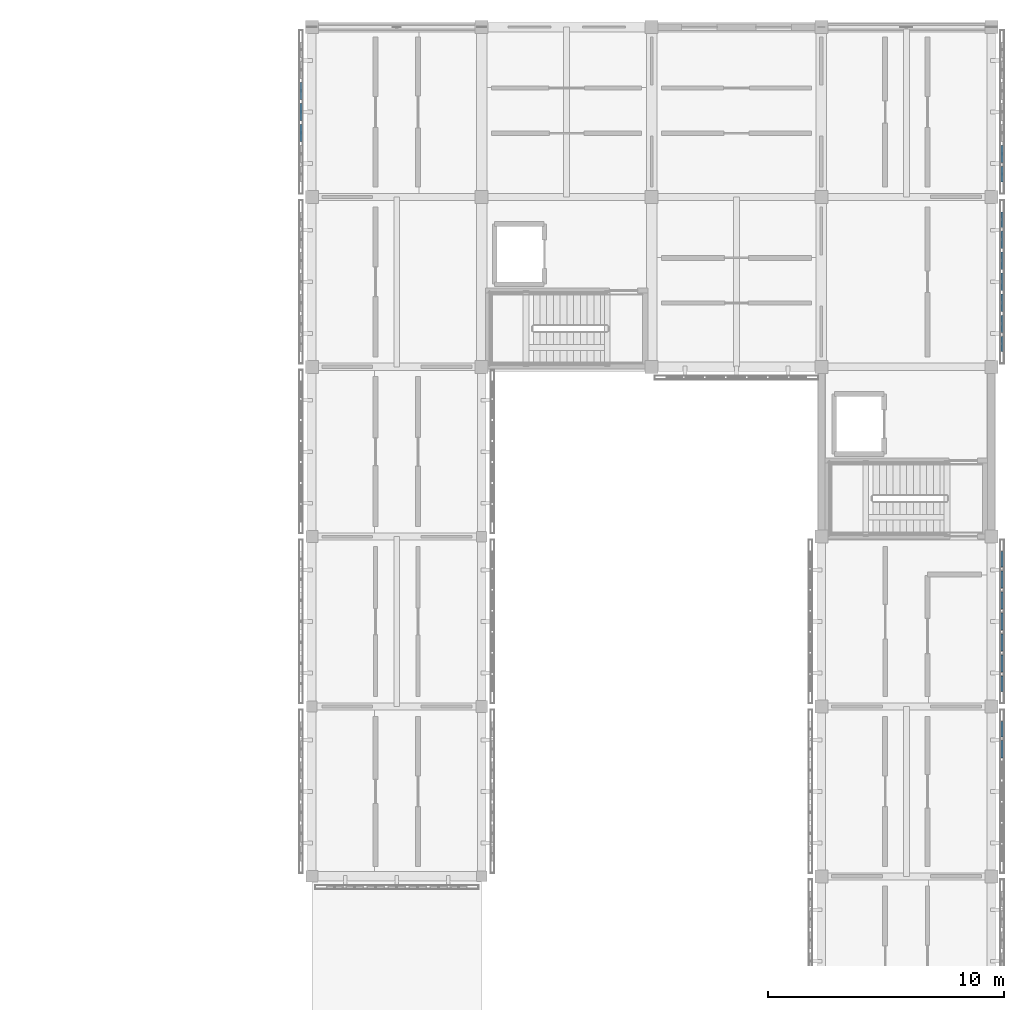
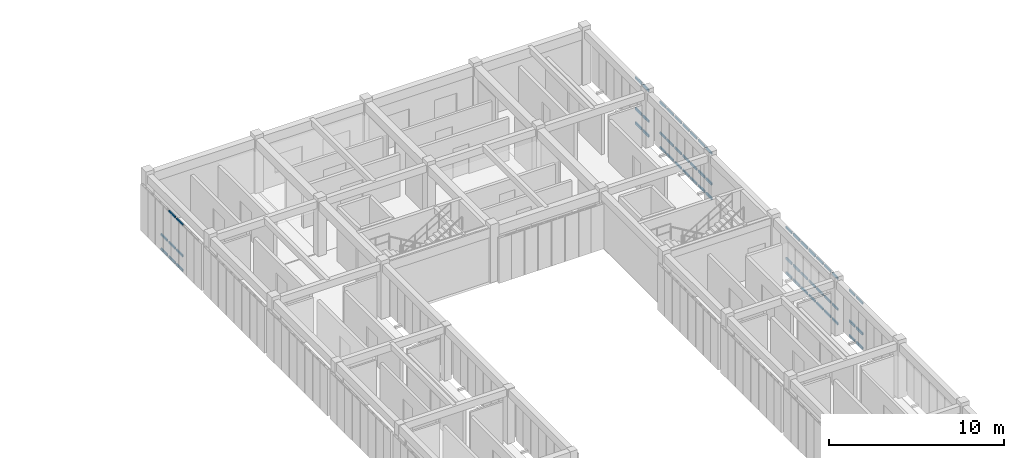
# One storey, part 33 of 67: 62 members, 5 elements without a shape of their own.
"""IFC4 building model written with IfcOpenShell, lengths in metres."""

from ifc_helpers import new_model, si_unit, direction, frame, origin, origin_2d, place, context, subcontext, project, spatial, hollow_rectangle, extrude, material, material_profile, profile_set, type_object, element, aggregate, save


model = new_model("IFC4")

# Units and contexts
model_context = context("Model", 3, precision=1e-05, world=origin(), true_north=direction((0.0, 1.0)))
body_context = subcontext(model_context, "Body", "Model", "MODEL_VIEW")
ifc_project = project(units=[si_unit("LENGTHUNIT", "METRE"), si_unit("AREAUNIT", "SQUARE_METRE"), si_unit("VOLUMEUNIT", "CUBIC_METRE"), si_unit("PLANEANGLEUNIT", "RADIAN"), si_unit("MASSUNIT", "GRAM", prefix="KILO")], contexts=[model_context])

# Site, building, storey
site_placement = place(None, origin())
site = spatial("IfcSite", under=ifc_project, at=site_placement, CompositionType="ELEMENT")
building_placement = place(site_placement, origin())
building = spatial("IfcBuilding", under=site, at=building_placement, Name="Aldebral Square Health Centre", CompositionType="ELEMENT")
storey_placement = place(building_placement, frame((0.0, 0.0, 13.5)))
storey = spatial("IfcBuildingStorey", under=building, at=storey_placement, Name="L03", CompositionType="ELEMENT", Elevation=13.5)

# Curtain wall, members
ifc_material_1 = material(Name="Aluminium and low-E solar glass", Category="aluminium")
curtain_wall_type = type_object("IfcCurtainWallType", Name="CW-FIN-SYS", PredefinedType="USERDEFINED", material=ifc_material_1)
curtain_wall_1_placement = place(storey_placement, origin())
curtain_wall_1 = element("IfcCurtainWall", 1, at=curtain_wall_1_placement, inside=storey, type_object=curtain_wall_type, Name="L03 V5 finned curtain wall L03-V5-19-15-W", ObjectType="SOLAR_CURTAIN_WALL", PredefinedType="USERDEFINED")
ifc_material_2 = material(Name="Anodised aluminium transom", Category="aluminium")
ifc_material_profile = material_profile(ifc_material_2, hollow_rectangle(XDim=0.074951171875, YDim=0.14990234375, WallThickness=0.00390625, at=origin_2d()), Name="CWT 75x150x4")
ifc_profile_set = profile_set([ifc_material_profile], Name="Anodised aluminium transom")
member_type = type_object("IfcMemberType", Name="CWT-STD", PredefinedType="USERDEFINED", material=ifc_profile_set)
member_1_placement = place(storey_placement, frame((136.340087890625, 112.857177734375, 0.03759765625), z_axis=(0.0, -1.0, 0.0), x_axis=(1.0, 0.0, 0.0)))
member_1 = element("IfcMember", 2, at=member_1_placement, type_object=member_type, Name="CW1 transom 3.1", ObjectType="TRANSOM", PredefinedType="USERDEFINED", context=body_context, shape_type="SweptSolid", body=[
    extrude(hollow_rectangle(XDim=0.074951171875, YDim=0.14990234375, WallThickness=0.00390625, at=origin_2d()), origin(), (0.0, 0.0, 1.0), 0.7314453125),
])
member_2_placement = place(storey_placement, frame((136.340087890625, 112.857177734375, 1.050048828125), z_axis=(0.0, -1.0, 0.0), x_axis=(1.0, 0.0, 0.0)))
member_2 = element("IfcMember", 3, at=member_2_placement, type_object=member_type, Name="CW1 transom 3.2", ObjectType="TRANSOM", PredefinedType="USERDEFINED", context=body_context, shape_type="SweptSolid", body=[
    extrude(hollow_rectangle(XDim=0.074951171875, YDim=0.14990234375, WallThickness=0.00390625, at=origin_2d()), origin(), (0.0, 0.0, 1.0), 0.7314453125),
])
member_3_placement = place(storey_placement, frame((136.340087890625, 111.9658203125, 0.03759765625), z_axis=(0.0, -1.0, 0.0), x_axis=(1.0, 0.0, 0.0)))
member_3 = element("IfcMember", 4, at=member_3_placement, type_object=member_type, Name="CW1 transom 4.1", ObjectType="TRANSOM", PredefinedType="USERDEFINED", context=body_context, shape_type="SweptSolid", body=[
    extrude(hollow_rectangle(XDim=0.074951171875, YDim=0.14990234375, WallThickness=0.00390625, at=origin_2d()), origin(), (0.0, 0.0, 1.0), 0.7314453125),
])
member_4_placement = place(storey_placement, frame((136.340087890625, 111.9658203125, 1.050048828125), z_axis=(0.0, -1.0, 0.0), x_axis=(1.0, 0.0, 0.0)))
member_4 = element("IfcMember", 5, at=member_4_placement, type_object=member_type, Name="CW1 transom 4.2", ObjectType="TRANSOM", PredefinedType="USERDEFINED", context=body_context, shape_type="SweptSolid", body=[
    extrude(hollow_rectangle(XDim=0.074951171875, YDim=0.14990234375, WallThickness=0.00390625, at=origin_2d()), origin(), (0.0, 0.0, 1.0), 0.7314453125),
])
member_5_placement = place(storey_placement, frame((136.340087890625, 111.9658203125, 3.202392578125), z_axis=(0.0, -1.0, 0.0), x_axis=(1.0, 0.0, 0.0)))
member_5 = element("IfcMember", 6, at=member_5_placement, type_object=member_type, Name="CW1 transom 4.3", ObjectType="TRANSOM", PredefinedType="USERDEFINED", context=body_context, shape_type="SweptSolid", body=[
    extrude(hollow_rectangle(XDim=0.074951171875, YDim=0.14990234375, WallThickness=0.00390625, at=origin_2d()), origin(), (0.0, 0.0, 1.0), 0.7314453125),
])
member_6_placement = place(storey_placement, frame((136.340087890625, 111.07421875, 0.03759765625), z_axis=(0.0, -1.0, 0.0), x_axis=(1.0, 0.0, 0.0)))
member_6 = element("IfcMember", 7, at=member_6_placement, type_object=member_type, Name="CW1 transom 5.1", ObjectType="TRANSOM", PredefinedType="USERDEFINED", context=body_context, shape_type="SweptSolid", body=[
    extrude(hollow_rectangle(XDim=0.074951171875, YDim=0.14990234375, WallThickness=0.00390625, at=origin_2d()), origin(), (0.0, 0.0, 1.0), 0.7314453125),
])
member_7_placement = place(storey_placement, frame((136.340087890625, 111.07421875, 1.050048828125), z_axis=(0.0, -1.0, 0.0), x_axis=(1.0, 0.0, 0.0)))
member_7 = element("IfcMember", 8, at=member_7_placement, type_object=member_type, Name="CW1 transom 5.2", ObjectType="TRANSOM", PredefinedType="USERDEFINED", context=body_context, shape_type="SweptSolid", body=[
    extrude(hollow_rectangle(XDim=0.074951171875, YDim=0.14990234375, WallThickness=0.00390625, at=origin_2d()), origin(), (0.0, 0.0, 1.0), 0.7314453125),
])
member_8_placement = place(storey_placement, frame((136.340087890625, 111.07421875, 3.202392578125), z_axis=(0.0, -1.0, 0.0), x_axis=(1.0, 0.0, 0.0)))
member_8 = element("IfcMember", 9, at=member_8_placement, type_object=member_type, Name="CW1 transom 5.3", ObjectType="TRANSOM", PredefinedType="USERDEFINED", context=body_context, shape_type="SweptSolid", body=[
    extrude(hollow_rectangle(XDim=0.074951171875, YDim=0.14990234375, WallThickness=0.00390625, at=origin_2d()), origin(), (0.0, 0.0, 1.0), 0.7314453125),
])
aggregate(curtain_wall_1, [member_1, member_2, member_3, member_4, member_5, member_6, member_7, member_8])

curtain_wall_2_placement = place(storey_placement, origin())
curtain_wall_2 = element("IfcCurtainWall", 10, at=curtain_wall_2_placement, inside=storey, type_object=curtain_wall_type, Name="L03 V5 finned curtain wall L03-V5-22-11-E", ObjectType="SOLAR_CURTAIN_WALL", PredefinedType="USERDEFINED")
member_9_placement = place(storey_placement, frame((166.06005859375, 84.217041015625, 0.03759765625), z_axis=(0.0, 1.0, 0.0), x_axis=(-1.0, 0.0, 0.0)))
member_9 = element("IfcMember", 11, at=member_9_placement, type_object=member_type, Name="CW1 transom 6.1", ObjectType="TRANSOM", PredefinedType="USERDEFINED", context=body_context, shape_type="SweptSolid", body=[
    extrude(hollow_rectangle(XDim=0.074951171875, YDim=0.14990234375, WallThickness=0.00390625, at=origin_2d()), origin(), (0.0, 0.0, 1.0), 0.7314453125),
])
member_10_placement = place(storey_placement, frame((166.06005859375, 84.217041015625, 1.050048828125), z_axis=(0.0, 1.0, 0.0), x_axis=(-1.0, 0.0, 0.0)))
member_10 = element("IfcMember", 12, at=member_10_placement, type_object=member_type, Name="CW1 transom 6.2", ObjectType="TRANSOM", PredefinedType="USERDEFINED", context=body_context, shape_type="SweptSolid", body=[
    extrude(hollow_rectangle(XDim=0.074951171875, YDim=0.14990234375, WallThickness=0.00390625, at=origin_2d()), origin(), (0.0, 0.0, 1.0), 0.7314453125),
])
member_11_placement = place(storey_placement, frame((166.06005859375, 84.217041015625, 3.202392578125), z_axis=(0.0, 1.0, 0.0), x_axis=(-1.0, 0.0, 0.0)))
member_11 = element("IfcMember", 13, at=member_11_placement, type_object=member_type, Name="CW1 transom 6.3", ObjectType="TRANSOM", PredefinedType="USERDEFINED", context=body_context, shape_type="SweptSolid", body=[
    extrude(hollow_rectangle(XDim=0.074951171875, YDim=0.14990234375, WallThickness=0.00390625, at=origin_2d()), origin(), (0.0, 0.0, 1.0), 0.7314453125),
])
member_12_placement = place(storey_placement, frame((166.06005859375, 85.108642578125, 0.03759765625), z_axis=(0.0, 1.0, 0.0), x_axis=(-1.0, 0.0, 0.0)))
member_12 = element("IfcMember", 14, at=member_12_placement, type_object=member_type, Name="CW1 transom 7.1", ObjectType="TRANSOM", PredefinedType="USERDEFINED", context=body_context, shape_type="SweptSolid", body=[
    extrude(hollow_rectangle(XDim=0.074951171875, YDim=0.14990234375, WallThickness=0.00390625, at=origin_2d()), origin(), (0.0, 0.0, 1.0), 0.6513671875),
])
member_13_placement = place(storey_placement, frame((166.06005859375, 85.108642578125, 1.050048828125), z_axis=(0.0, 1.0, 0.0), x_axis=(-1.0, 0.0, 0.0)))
member_13 = element("IfcMember", 15, at=member_13_placement, type_object=member_type, Name="CW1 transom 7.2", ObjectType="TRANSOM", PredefinedType="USERDEFINED", context=body_context, shape_type="SweptSolid", body=[
    extrude(hollow_rectangle(XDim=0.074951171875, YDim=0.14990234375, WallThickness=0.00390625, at=origin_2d()), origin(), (0.0, 0.0, 1.0), 0.6513671875),
])
member_14_placement = place(storey_placement, frame((166.06005859375, 85.108642578125, 3.202392578125), z_axis=(0.0, 1.0, 0.0), x_axis=(-1.0, 0.0, 0.0)))
member_14 = element("IfcMember", 16, at=member_14_placement, type_object=member_type, Name="CW1 transom 7.3", ObjectType="TRANSOM", PredefinedType="USERDEFINED", context=body_context, shape_type="SweptSolid", body=[
    extrude(hollow_rectangle(XDim=0.074951171875, YDim=0.14990234375, WallThickness=0.00390625, at=origin_2d()), origin(), (0.0, 0.0, 1.0), 0.6513671875),
])
aggregate(curtain_wall_2, [member_9, member_10, member_11, member_12, member_13, member_14])

curtain_wall_3_placement = place(storey_placement, origin())
curtain_wall_3 = element("IfcCurtainWall", 17, at=curtain_wall_3_placement, inside=storey, type_object=curtain_wall_type, Name="L03 V5 finned curtain wall L03-V5-22-12-E", ObjectType="SOLAR_CURTAIN_WALL", PredefinedType="USERDEFINED")
member_15_placement = place(storey_placement, frame((166.06005859375, 87.0400390625, 0.03759765625), z_axis=(0.0, 1.0, 0.0), x_axis=(-1.0, 0.0, 0.0)))
member_15 = element("IfcMember", 18, at=member_15_placement, type_object=member_type, Name="CW1 transom 1.1", ObjectType="TRANSOM", PredefinedType="USERDEFINED", context=body_context, shape_type="SweptSolid", body=[
    extrude(hollow_rectangle(XDim=0.074951171875, YDim=0.14990234375, WallThickness=0.00390625, at=origin_2d()), origin(), (0.0, 0.0, 1.0), 0.6513671875),
])
member_16_placement = place(storey_placement, frame((166.06005859375, 87.0400390625, 1.050048828125), z_axis=(0.0, 1.0, 0.0), x_axis=(-1.0, 0.0, 0.0)))
member_16 = element("IfcMember", 19, at=member_16_placement, type_object=member_type, Name="CW1 transom 1.2", ObjectType="TRANSOM", PredefinedType="USERDEFINED", context=body_context, shape_type="SweptSolid", body=[
    extrude(hollow_rectangle(XDim=0.074951171875, YDim=0.14990234375, WallThickness=0.00390625, at=origin_2d()), origin(), (0.0, 0.0, 1.0), 0.6513671875),
])
member_17_placement = place(storey_placement, frame((166.06005859375, 87.0400390625, 3.202392578125), z_axis=(0.0, 1.0, 0.0), x_axis=(-1.0, 0.0, 0.0)))
member_17 = element("IfcMember", 20, at=member_17_placement, type_object=member_type, Name="CW1 transom 1.3", ObjectType="TRANSOM", PredefinedType="USERDEFINED", context=body_context, shape_type="SweptSolid", body=[
    extrude(hollow_rectangle(XDim=0.074951171875, YDim=0.14990234375, WallThickness=0.00390625, at=origin_2d()), origin(), (0.0, 0.0, 1.0), 0.6513671875),
])
member_18_placement = place(storey_placement, frame((166.06005859375, 87.851318359375, 0.03759765625), z_axis=(0.0, 1.0, 0.0), x_axis=(-1.0, 0.0, 0.0)))
member_18 = element("IfcMember", 21, at=member_18_placement, type_object=member_type, Name="CW1 transom 2.1", ObjectType="TRANSOM", PredefinedType="USERDEFINED", context=body_context, shape_type="SweptSolid", body=[
    extrude(hollow_rectangle(XDim=0.074951171875, YDim=0.14990234375, WallThickness=0.00390625, at=origin_2d()), origin(), (0.0, 0.0, 1.0), 0.7314453125),
])
member_19_placement = place(storey_placement, frame((166.06005859375, 87.851318359375, 1.050048828125), z_axis=(0.0, 1.0, 0.0), x_axis=(-1.0, 0.0, 0.0)))
member_19 = element("IfcMember", 22, at=member_19_placement, type_object=member_type, Name="CW1 transom 2.2", ObjectType="TRANSOM", PredefinedType="USERDEFINED", context=body_context, shape_type="SweptSolid", body=[
    extrude(hollow_rectangle(XDim=0.074951171875, YDim=0.14990234375, WallThickness=0.00390625, at=origin_2d()), origin(), (0.0, 0.0, 1.0), 0.7314453125),
])
member_20_placement = place(storey_placement, frame((166.06005859375, 87.851318359375, 3.202392578125), z_axis=(0.0, 1.0, 0.0), x_axis=(-1.0, 0.0, 0.0)))
member_20 = element("IfcMember", 23, at=member_20_placement, type_object=member_type, Name="CW1 transom 2.3", ObjectType="TRANSOM", PredefinedType="USERDEFINED", context=body_context, shape_type="SweptSolid", body=[
    extrude(hollow_rectangle(XDim=0.074951171875, YDim=0.14990234375, WallThickness=0.00390625, at=origin_2d()), origin(), (0.0, 0.0, 1.0), 0.7314453125),
])
member_21_placement = place(storey_placement, frame((166.06005859375, 88.742919921875, 0.03759765625), z_axis=(0.0, 1.0, 0.0), x_axis=(-1.0, 0.0, 0.0)))
member_21 = element("IfcMember", 24, at=member_21_placement, type_object=member_type, Name="CW1 transom 3.1", ObjectType="TRANSOM", PredefinedType="USERDEFINED", context=body_context, shape_type="SweptSolid", body=[
    extrude(hollow_rectangle(XDim=0.074951171875, YDim=0.14990234375, WallThickness=0.00390625, at=origin_2d()), origin(), (0.0, 0.0, 1.0), 0.7314453125),
])
member_22_placement = place(storey_placement, frame((166.06005859375, 88.742919921875, 1.050048828125), z_axis=(0.0, 1.0, 0.0), x_axis=(-1.0, 0.0, 0.0)))
member_22 = element("IfcMember", 25, at=member_22_placement, type_object=member_type, Name="CW1 transom 3.2", ObjectType="TRANSOM", PredefinedType="USERDEFINED", context=body_context, shape_type="SweptSolid", body=[
    extrude(hollow_rectangle(XDim=0.074951171875, YDim=0.14990234375, WallThickness=0.00390625, at=origin_2d()), origin(), (0.0, 0.0, 1.0), 0.7314453125),
])
member_23_placement = place(storey_placement, frame((166.06005859375, 88.742919921875, 3.202392578125), z_axis=(0.0, 1.0, 0.0), x_axis=(-1.0, 0.0, 0.0)))
member_23 = element("IfcMember", 26, at=member_23_placement, type_object=member_type, Name="CW1 transom 3.3", ObjectType="TRANSOM", PredefinedType="USERDEFINED", context=body_context, shape_type="SweptSolid", body=[
    extrude(hollow_rectangle(XDim=0.074951171875, YDim=0.14990234375, WallThickness=0.00390625, at=origin_2d()), origin(), (0.0, 0.0, 1.0), 0.7314453125),
])
member_24_placement = place(storey_placement, frame((166.06005859375, 89.63427734375, 0.03759765625), z_axis=(0.0, 1.0, 0.0), x_axis=(-1.0, 0.0, 0.0)))
member_24 = element("IfcMember", 27, at=member_24_placement, type_object=member_type, Name="CW1 transom 4.1", ObjectType="TRANSOM", PredefinedType="USERDEFINED", context=body_context, shape_type="SweptSolid", body=[
    extrude(hollow_rectangle(XDim=0.074951171875, YDim=0.14990234375, WallThickness=0.00390625, at=origin_2d()), origin(), (0.0, 0.0, 1.0), 0.7314453125),
])
member_25_placement = place(storey_placement, frame((166.06005859375, 89.63427734375, 1.050048828125), z_axis=(0.0, 1.0, 0.0), x_axis=(-1.0, 0.0, 0.0)))
member_25 = element("IfcMember", 28, at=member_25_placement, type_object=member_type, Name="CW1 transom 4.2", ObjectType="TRANSOM", PredefinedType="USERDEFINED", context=body_context, shape_type="SweptSolid", body=[
    extrude(hollow_rectangle(XDim=0.074951171875, YDim=0.14990234375, WallThickness=0.00390625, at=origin_2d()), origin(), (0.0, 0.0, 1.0), 0.7314453125),
])
member_26_placement = place(storey_placement, frame((166.06005859375, 89.63427734375, 3.202392578125), z_axis=(0.0, 1.0, 0.0), x_axis=(-1.0, 0.0, 0.0)))
member_26 = element("IfcMember", 29, at=member_26_placement, type_object=member_type, Name="CW1 transom 4.3", ObjectType="TRANSOM", PredefinedType="USERDEFINED", context=body_context, shape_type="SweptSolid", body=[
    extrude(hollow_rectangle(XDim=0.074951171875, YDim=0.14990234375, WallThickness=0.00390625, at=origin_2d()), origin(), (0.0, 0.0, 1.0), 0.7314453125),
])
member_27_placement = place(storey_placement, frame((166.06005859375, 90.525634765625, 0.03759765625), z_axis=(0.0, 1.0, 0.0), x_axis=(-1.0, 0.0, 0.0)))
member_27 = element("IfcMember", 30, at=member_27_placement, type_object=member_type, Name="CW1 transom 5.1", ObjectType="TRANSOM", PredefinedType="USERDEFINED", context=body_context, shape_type="SweptSolid", body=[
    extrude(hollow_rectangle(XDim=0.074951171875, YDim=0.14990234375, WallThickness=0.00390625, at=origin_2d()), origin(), (0.0, 0.0, 1.0), 0.7314453125),
])
member_28_placement = place(storey_placement, frame((166.06005859375, 90.525634765625, 1.050048828125), z_axis=(0.0, 1.0, 0.0), x_axis=(-1.0, 0.0, 0.0)))
member_28 = element("IfcMember", 31, at=member_28_placement, type_object=member_type, Name="CW1 transom 5.2", ObjectType="TRANSOM", PredefinedType="USERDEFINED", context=body_context, shape_type="SweptSolid", body=[
    extrude(hollow_rectangle(XDim=0.074951171875, YDim=0.14990234375, WallThickness=0.00390625, at=origin_2d()), origin(), (0.0, 0.0, 1.0), 0.7314453125),
])
member_29_placement = place(storey_placement, frame((166.06005859375, 90.525634765625, 3.202392578125), z_axis=(0.0, 1.0, 0.0), x_axis=(-1.0, 0.0, 0.0)))
member_29 = element("IfcMember", 32, at=member_29_placement, type_object=member_type, Name="CW1 transom 5.3", ObjectType="TRANSOM", PredefinedType="USERDEFINED", context=body_context, shape_type="SweptSolid", body=[
    extrude(hollow_rectangle(XDim=0.074951171875, YDim=0.14990234375, WallThickness=0.00390625, at=origin_2d()), origin(), (0.0, 0.0, 1.0), 0.7314453125),
])
member_30_placement = place(storey_placement, frame((166.06005859375, 91.417236328125, 0.03759765625), z_axis=(0.0, 1.0, 0.0), x_axis=(-1.0, 0.0, 0.0)))
member_30 = element("IfcMember", 33, at=member_30_placement, type_object=member_type, Name="CW1 transom 6.1", ObjectType="TRANSOM", PredefinedType="USERDEFINED", context=body_context, shape_type="SweptSolid", body=[
    extrude(hollow_rectangle(XDim=0.074951171875, YDim=0.14990234375, WallThickness=0.00390625, at=origin_2d()), origin(), (0.0, 0.0, 1.0), 0.7314453125),
])
member_31_placement = place(storey_placement, frame((166.06005859375, 91.417236328125, 1.050048828125), z_axis=(0.0, 1.0, 0.0), x_axis=(-1.0, 0.0, 0.0)))
member_31 = element("IfcMember", 34, at=member_31_placement, type_object=member_type, Name="CW1 transom 6.2", ObjectType="TRANSOM", PredefinedType="USERDEFINED", context=body_context, shape_type="SweptSolid", body=[
    extrude(hollow_rectangle(XDim=0.074951171875, YDim=0.14990234375, WallThickness=0.00390625, at=origin_2d()), origin(), (0.0, 0.0, 1.0), 0.7314453125),
])
member_32_placement = place(storey_placement, frame((166.06005859375, 91.417236328125, 3.202392578125), z_axis=(0.0, 1.0, 0.0), x_axis=(-1.0, 0.0, 0.0)))
member_32 = element("IfcMember", 35, at=member_32_placement, type_object=member_type, Name="CW1 transom 6.3", ObjectType="TRANSOM", PredefinedType="USERDEFINED", context=body_context, shape_type="SweptSolid", body=[
    extrude(hollow_rectangle(XDim=0.074951171875, YDim=0.14990234375, WallThickness=0.00390625, at=origin_2d()), origin(), (0.0, 0.0, 1.0), 0.7314453125),
])
member_33_placement = place(storey_placement, frame((166.06005859375, 92.30859375, 0.03759765625), z_axis=(0.0, 1.0, 0.0), x_axis=(-1.0, 0.0, 0.0)))
member_33 = element("IfcMember", 36, at=member_33_placement, type_object=member_type, Name="CW1 transom 7.1", ObjectType="TRANSOM", PredefinedType="USERDEFINED", context=body_context, shape_type="SweptSolid", body=[
    extrude(hollow_rectangle(XDim=0.074951171875, YDim=0.14990234375, WallThickness=0.00390625, at=origin_2d()), origin(), (0.0, 0.0, 1.0), 0.6513671875),
])
member_34_placement = place(storey_placement, frame((166.06005859375, 92.30859375, 1.050048828125), z_axis=(0.0, 1.0, 0.0), x_axis=(-1.0, 0.0, 0.0)))
member_34 = element("IfcMember", 37, at=member_34_placement, type_object=member_type, Name="CW1 transom 7.2", ObjectType="TRANSOM", PredefinedType="USERDEFINED", context=body_context, shape_type="SweptSolid", body=[
    extrude(hollow_rectangle(XDim=0.074951171875, YDim=0.14990234375, WallThickness=0.00390625, at=origin_2d()), origin(), (0.0, 0.0, 1.0), 0.6513671875),
])
member_35_placement = place(storey_placement, frame((166.06005859375, 92.30859375, 3.202392578125), z_axis=(0.0, 1.0, 0.0), x_axis=(-1.0, 0.0, 0.0)))
member_35 = element("IfcMember", 38, at=member_35_placement, type_object=member_type, Name="CW1 transom 7.3", ObjectType="TRANSOM", PredefinedType="USERDEFINED", context=body_context, shape_type="SweptSolid", body=[
    extrude(hollow_rectangle(XDim=0.074951171875, YDim=0.14990234375, WallThickness=0.00390625, at=origin_2d()), origin(), (0.0, 0.0, 1.0), 0.6513671875),
])
aggregate(curtain_wall_3, [member_15, member_16, member_17, member_18, member_19, member_20, member_21, member_22, member_23, member_24, member_25, member_26, member_27, member_28, member_29, member_30, member_31, member_32, member_33, member_34, member_35])

curtain_wall_4_placement = place(storey_placement, origin())
curtain_wall_4 = element("IfcCurtainWall", 39, at=curtain_wall_4_placement, inside=storey, type_object=curtain_wall_type, Name="L03 V5 finned curtain wall L03-V5-22-14-E", ObjectType="SOLAR_CURTAIN_WALL", PredefinedType="USERDEFINED")
member_36_placement = place(storey_placement, frame((166.06005859375, 101.43994140625, 0.03759765625), z_axis=(0.0, 1.0, 0.0), x_axis=(-1.0, 0.0, 0.0)))
member_36 = element("IfcMember", 40, at=member_36_placement, type_object=member_type, Name="CW1 transom 1.1", ObjectType="TRANSOM", PredefinedType="USERDEFINED", context=body_context, shape_type="SweptSolid", body=[
    extrude(hollow_rectangle(XDim=0.074951171875, YDim=0.14990234375, WallThickness=0.00390625, at=origin_2d()), origin(), (0.0, 0.0, 1.0), 0.6513671875),
])
member_37_placement = place(storey_placement, frame((166.06005859375, 101.43994140625, 1.050048828125), z_axis=(0.0, 1.0, 0.0), x_axis=(-1.0, 0.0, 0.0)))
member_37 = element("IfcMember", 41, at=member_37_placement, type_object=member_type, Name="CW1 transom 1.2", ObjectType="TRANSOM", PredefinedType="USERDEFINED", context=body_context, shape_type="SweptSolid", body=[
    extrude(hollow_rectangle(XDim=0.074951171875, YDim=0.14990234375, WallThickness=0.00390625, at=origin_2d()), origin(), (0.0, 0.0, 1.0), 0.6513671875),
])
member_38_placement = place(storey_placement, frame((166.06005859375, 101.43994140625, 3.202392578125), z_axis=(0.0, 1.0, 0.0), x_axis=(-1.0, 0.0, 0.0)))
member_38 = element("IfcMember", 42, at=member_38_placement, type_object=member_type, Name="CW1 transom 1.3", ObjectType="TRANSOM", PredefinedType="USERDEFINED", context=body_context, shape_type="SweptSolid", body=[
    extrude(hollow_rectangle(XDim=0.074951171875, YDim=0.14990234375, WallThickness=0.00390625, at=origin_2d()), origin(), (0.0, 0.0, 1.0), 0.6513671875),
])
member_39_placement = place(storey_placement, frame((166.06005859375, 102.25146484375, 0.03759765625), z_axis=(0.0, 1.0, 0.0), x_axis=(-1.0, 0.0, 0.0)))
member_39 = element("IfcMember", 43, at=member_39_placement, type_object=member_type, Name="CW1 transom 2.1", ObjectType="TRANSOM", PredefinedType="USERDEFINED", context=body_context, shape_type="SweptSolid", body=[
    extrude(hollow_rectangle(XDim=0.074951171875, YDim=0.14990234375, WallThickness=0.00390625, at=origin_2d()), origin(), (0.0, 0.0, 1.0), 0.7314453125),
])
member_40_placement = place(storey_placement, frame((166.06005859375, 102.25146484375, 1.050048828125), z_axis=(0.0, 1.0, 0.0), x_axis=(-1.0, 0.0, 0.0)))
member_40 = element("IfcMember", 44, at=member_40_placement, type_object=member_type, Name="CW1 transom 2.2", ObjectType="TRANSOM", PredefinedType="USERDEFINED", context=body_context, shape_type="SweptSolid", body=[
    extrude(hollow_rectangle(XDim=0.074951171875, YDim=0.14990234375, WallThickness=0.00390625, at=origin_2d()), origin(), (0.0, 0.0, 1.0), 0.7314453125),
])
member_41_placement = place(storey_placement, frame((166.06005859375, 102.25146484375, 3.202392578125), z_axis=(0.0, 1.0, 0.0), x_axis=(-1.0, 0.0, 0.0)))
member_41 = element("IfcMember", 45, at=member_41_placement, type_object=member_type, Name="CW1 transom 2.3", ObjectType="TRANSOM", PredefinedType="USERDEFINED", context=body_context, shape_type="SweptSolid", body=[
    extrude(hollow_rectangle(XDim=0.074951171875, YDim=0.14990234375, WallThickness=0.00390625, at=origin_2d()), origin(), (0.0, 0.0, 1.0), 0.7314453125),
])
member_42_placement = place(storey_placement, frame((166.06005859375, 103.142822265625, 0.03759765625), z_axis=(0.0, 1.0, 0.0), x_axis=(-1.0, 0.0, 0.0)))
member_42 = element("IfcMember", 46, at=member_42_placement, type_object=member_type, Name="CW1 transom 3.1", ObjectType="TRANSOM", PredefinedType="USERDEFINED", context=body_context, shape_type="SweptSolid", body=[
    extrude(hollow_rectangle(XDim=0.074951171875, YDim=0.14990234375, WallThickness=0.00390625, at=origin_2d()), origin(), (0.0, 0.0, 1.0), 0.7314453125),
])
member_43_placement = place(storey_placement, frame((166.06005859375, 103.142822265625, 1.050048828125), z_axis=(0.0, 1.0, 0.0), x_axis=(-1.0, 0.0, 0.0)))
member_43 = element("IfcMember", 47, at=member_43_placement, type_object=member_type, Name="CW1 transom 3.2", ObjectType="TRANSOM", PredefinedType="USERDEFINED", context=body_context, shape_type="SweptSolid", body=[
    extrude(hollow_rectangle(XDim=0.074951171875, YDim=0.14990234375, WallThickness=0.00390625, at=origin_2d()), origin(), (0.0, 0.0, 1.0), 0.7314453125),
])
member_44_placement = place(storey_placement, frame((166.06005859375, 103.142822265625, 3.202392578125), z_axis=(0.0, 1.0, 0.0), x_axis=(-1.0, 0.0, 0.0)))
member_44 = element("IfcMember", 48, at=member_44_placement, type_object=member_type, Name="CW1 transom 3.3", ObjectType="TRANSOM", PredefinedType="USERDEFINED", context=body_context, shape_type="SweptSolid", body=[
    extrude(hollow_rectangle(XDim=0.074951171875, YDim=0.14990234375, WallThickness=0.00390625, at=origin_2d()), origin(), (0.0, 0.0, 1.0), 0.7314453125),
])
member_45_placement = place(storey_placement, frame((166.06005859375, 104.0341796875, 0.03759765625), z_axis=(0.0, 1.0, 0.0), x_axis=(-1.0, 0.0, 0.0)))
member_45 = element("IfcMember", 49, at=member_45_placement, type_object=member_type, Name="CW1 transom 4.1", ObjectType="TRANSOM", PredefinedType="USERDEFINED", context=body_context, shape_type="SweptSolid", body=[
    extrude(hollow_rectangle(XDim=0.074951171875, YDim=0.14990234375, WallThickness=0.00390625, at=origin_2d()), origin(), (0.0, 0.0, 1.0), 0.7314453125),
])
member_46_placement = place(storey_placement, frame((166.06005859375, 104.0341796875, 1.050048828125), z_axis=(0.0, 1.0, 0.0), x_axis=(-1.0, 0.0, 0.0)))
member_46 = element("IfcMember", 50, at=member_46_placement, type_object=member_type, Name="CW1 transom 4.2", ObjectType="TRANSOM", PredefinedType="USERDEFINED", context=body_context, shape_type="SweptSolid", body=[
    extrude(hollow_rectangle(XDim=0.074951171875, YDim=0.14990234375, WallThickness=0.00390625, at=origin_2d()), origin(), (0.0, 0.0, 1.0), 0.7314453125),
])
member_47_placement = place(storey_placement, frame((166.06005859375, 104.0341796875, 3.202392578125), z_axis=(0.0, 1.0, 0.0), x_axis=(-1.0, 0.0, 0.0)))
member_47 = element("IfcMember", 51, at=member_47_placement, type_object=member_type, Name="CW1 transom 4.3", ObjectType="TRANSOM", PredefinedType="USERDEFINED", context=body_context, shape_type="SweptSolid", body=[
    extrude(hollow_rectangle(XDim=0.074951171875, YDim=0.14990234375, WallThickness=0.00390625, at=origin_2d()), origin(), (0.0, 0.0, 1.0), 0.7314453125),
])
member_48_placement = place(storey_placement, frame((166.06005859375, 104.92578125, 0.03759765625), z_axis=(0.0, 1.0, 0.0), x_axis=(-1.0, 0.0, 0.0)))
member_48 = element("IfcMember", 52, at=member_48_placement, type_object=member_type, Name="CW1 transom 5.1", ObjectType="TRANSOM", PredefinedType="USERDEFINED", context=body_context, shape_type="SweptSolid", body=[
    extrude(hollow_rectangle(XDim=0.074951171875, YDim=0.14990234375, WallThickness=0.00390625, at=origin_2d()), origin(), (0.0, 0.0, 1.0), 0.7314453125),
])
member_49_placement = place(storey_placement, frame((166.06005859375, 104.92578125, 1.050048828125), z_axis=(0.0, 1.0, 0.0), x_axis=(-1.0, 0.0, 0.0)))
member_49 = element("IfcMember", 53, at=member_49_placement, type_object=member_type, Name="CW1 transom 5.2", ObjectType="TRANSOM", PredefinedType="USERDEFINED", context=body_context, shape_type="SweptSolid", body=[
    extrude(hollow_rectangle(XDim=0.074951171875, YDim=0.14990234375, WallThickness=0.00390625, at=origin_2d()), origin(), (0.0, 0.0, 1.0), 0.7314453125),
])
member_50_placement = place(storey_placement, frame((166.06005859375, 104.92578125, 3.202392578125), z_axis=(0.0, 1.0, 0.0), x_axis=(-1.0, 0.0, 0.0)))
member_50 = element("IfcMember", 54, at=member_50_placement, type_object=member_type, Name="CW1 transom 5.3", ObjectType="TRANSOM", PredefinedType="USERDEFINED", context=body_context, shape_type="SweptSolid", body=[
    extrude(hollow_rectangle(XDim=0.074951171875, YDim=0.14990234375, WallThickness=0.00390625, at=origin_2d()), origin(), (0.0, 0.0, 1.0), 0.7314453125),
])
member_51_placement = place(storey_placement, frame((166.06005859375, 105.817138671875, 0.03759765625), z_axis=(0.0, 1.0, 0.0), x_axis=(-1.0, 0.0, 0.0)))
member_51 = element("IfcMember", 55, at=member_51_placement, type_object=member_type, Name="CW1 transom 6.1", ObjectType="TRANSOM", PredefinedType="USERDEFINED", context=body_context, shape_type="SweptSolid", body=[
    extrude(hollow_rectangle(XDim=0.074951171875, YDim=0.14990234375, WallThickness=0.00390625, at=origin_2d()), origin(), (0.0, 0.0, 1.0), 0.7314453125),
])
member_52_placement = place(storey_placement, frame((166.06005859375, 105.817138671875, 1.050048828125), z_axis=(0.0, 1.0, 0.0), x_axis=(-1.0, 0.0, 0.0)))
member_52 = element("IfcMember", 56, at=member_52_placement, type_object=member_type, Name="CW1 transom 6.2", ObjectType="TRANSOM", PredefinedType="USERDEFINED", context=body_context, shape_type="SweptSolid", body=[
    extrude(hollow_rectangle(XDim=0.074951171875, YDim=0.14990234375, WallThickness=0.00390625, at=origin_2d()), origin(), (0.0, 0.0, 1.0), 0.7314453125),
])
member_53_placement = place(storey_placement, frame((166.06005859375, 105.817138671875, 3.202392578125), z_axis=(0.0, 1.0, 0.0), x_axis=(-1.0, 0.0, 0.0)))
member_53 = element("IfcMember", 57, at=member_53_placement, type_object=member_type, Name="CW1 transom 6.3", ObjectType="TRANSOM", PredefinedType="USERDEFINED", context=body_context, shape_type="SweptSolid", body=[
    extrude(hollow_rectangle(XDim=0.074951171875, YDim=0.14990234375, WallThickness=0.00390625, at=origin_2d()), origin(), (0.0, 0.0, 1.0), 0.7314453125),
])
member_54_placement = place(storey_placement, frame((166.06005859375, 106.70849609375, 0.03759765625), z_axis=(0.0, 1.0, 0.0), x_axis=(-1.0, 0.0, 0.0)))
member_54 = element("IfcMember", 58, at=member_54_placement, type_object=member_type, Name="CW1 transom 7.1", ObjectType="TRANSOM", PredefinedType="USERDEFINED", context=body_context, shape_type="SweptSolid", body=[
    extrude(hollow_rectangle(XDim=0.074951171875, YDim=0.14990234375, WallThickness=0.00390625, at=origin_2d()), origin(), (0.0, 0.0, 1.0), 0.651611328125),
])
member_55_placement = place(storey_placement, frame((166.06005859375, 106.70849609375, 1.050048828125), z_axis=(0.0, 1.0, 0.0), x_axis=(-1.0, 0.0, 0.0)))
member_55 = element("IfcMember", 59, at=member_55_placement, type_object=member_type, Name="CW1 transom 7.2", ObjectType="TRANSOM", PredefinedType="USERDEFINED", context=body_context, shape_type="SweptSolid", body=[
    extrude(hollow_rectangle(XDim=0.074951171875, YDim=0.14990234375, WallThickness=0.00390625, at=origin_2d()), origin(), (0.0, 0.0, 1.0), 0.651611328125),
])
member_56_placement = place(storey_placement, frame((166.06005859375, 106.70849609375, 3.202392578125), z_axis=(0.0, 1.0, 0.0), x_axis=(-1.0, 0.0, 0.0)))
member_56 = element("IfcMember", 60, at=member_56_placement, type_object=member_type, Name="CW1 transom 7.3", ObjectType="TRANSOM", PredefinedType="USERDEFINED", context=body_context, shape_type="SweptSolid", body=[
    extrude(hollow_rectangle(XDim=0.074951171875, YDim=0.14990234375, WallThickness=0.00390625, at=origin_2d()), origin(), (0.0, 0.0, 1.0), 0.651611328125),
])
aggregate(curtain_wall_4, [member_36, member_37, member_38, member_39, member_40, member_41, member_42, member_43, member_44, member_45, member_46, member_47, member_48, member_49, member_50, member_51, member_52, member_53, member_54, member_55, member_56])

curtain_wall_5_placement = place(storey_placement, origin())
curtain_wall_5 = element("IfcCurtainWall", 61, at=curtain_wall_5_placement, inside=storey, type_object=curtain_wall_type, Name="L03 V5 finned curtain wall L03-V5-22-15-E", ObjectType="SOLAR_CURTAIN_WALL", PredefinedType="USERDEFINED")
member_57_placement = place(storey_placement, frame((166.06005859375, 108.639892578125, 0.03759765625), z_axis=(0.0, 1.0, 0.0), x_axis=(-1.0, 0.0, 0.0)))
member_57 = element("IfcMember", 62, at=member_57_placement, type_object=member_type, Name="CW1 transom 1.1", ObjectType="TRANSOM", PredefinedType="USERDEFINED", context=body_context, shape_type="SweptSolid", body=[
    extrude(hollow_rectangle(XDim=0.074951171875, YDim=0.14990234375, WallThickness=0.00390625, at=origin_2d()), origin(), (0.0, 0.0, 1.0), 0.651611328125),
])
member_58_placement = place(storey_placement, frame((166.06005859375, 108.639892578125, 1.050048828125), z_axis=(0.0, 1.0, 0.0), x_axis=(-1.0, 0.0, 0.0)))
member_58 = element("IfcMember", 63, at=member_58_placement, type_object=member_type, Name="CW1 transom 1.2", ObjectType="TRANSOM", PredefinedType="USERDEFINED", context=body_context, shape_type="SweptSolid", body=[
    extrude(hollow_rectangle(XDim=0.074951171875, YDim=0.14990234375, WallThickness=0.00390625, at=origin_2d()), origin(), (0.0, 0.0, 1.0), 0.651611328125),
])
member_59_placement = place(storey_placement, frame((166.06005859375, 108.639892578125, 3.202392578125), z_axis=(0.0, 1.0, 0.0), x_axis=(-1.0, 0.0, 0.0)))
member_59 = element("IfcMember", 64, at=member_59_placement, type_object=member_type, Name="CW1 transom 1.3", ObjectType="TRANSOM", PredefinedType="USERDEFINED", context=body_context, shape_type="SweptSolid", body=[
    extrude(hollow_rectangle(XDim=0.074951171875, YDim=0.14990234375, WallThickness=0.00390625, at=origin_2d()), origin(), (0.0, 0.0, 1.0), 0.651611328125),
])
member_60_placement = place(storey_placement, frame((166.06005859375, 109.451416015625, 0.03759765625), z_axis=(0.0, 1.0, 0.0), x_axis=(-1.0, 0.0, 0.0)))
member_60 = element("IfcMember", 65, at=member_60_placement, type_object=member_type, Name="CW1 transom 2.1", ObjectType="TRANSOM", PredefinedType="USERDEFINED", context=body_context, shape_type="SweptSolid", body=[
    extrude(hollow_rectangle(XDim=0.074951171875, YDim=0.14990234375, WallThickness=0.00390625, at=origin_2d()), origin(), (0.0, 0.0, 1.0), 0.7314453125),
])
member_61_placement = place(storey_placement, frame((166.06005859375, 109.451416015625, 1.050048828125), z_axis=(0.0, 1.0, 0.0), x_axis=(-1.0, 0.0, 0.0)))
member_61 = element("IfcMember", 66, at=member_61_placement, type_object=member_type, Name="CW1 transom 2.2", ObjectType="TRANSOM", PredefinedType="USERDEFINED", context=body_context, shape_type="SweptSolid", body=[
    extrude(hollow_rectangle(XDim=0.074951171875, YDim=0.14990234375, WallThickness=0.00390625, at=origin_2d()), origin(), (0.0, 0.0, 1.0), 0.7314453125),
])
member_62_placement = place(storey_placement, frame((166.06005859375, 109.451416015625, 3.202392578125), z_axis=(0.0, 1.0, 0.0), x_axis=(-1.0, 0.0, 0.0)))
member_62 = element("IfcMember", 67, at=member_62_placement, type_object=member_type, Name="CW1 transom 2.3", ObjectType="TRANSOM", PredefinedType="USERDEFINED", context=body_context, shape_type="SweptSolid", body=[
    extrude(hollow_rectangle(XDim=0.074951171875, YDim=0.14990234375, WallThickness=0.00390625, at=origin_2d()), origin(), (0.0, 0.0, 1.0), 0.7314453125),
])
aggregate(curtain_wall_5, [member_57, member_58, member_59, member_60, member_61, member_62])

save(model, "model.ifc")
